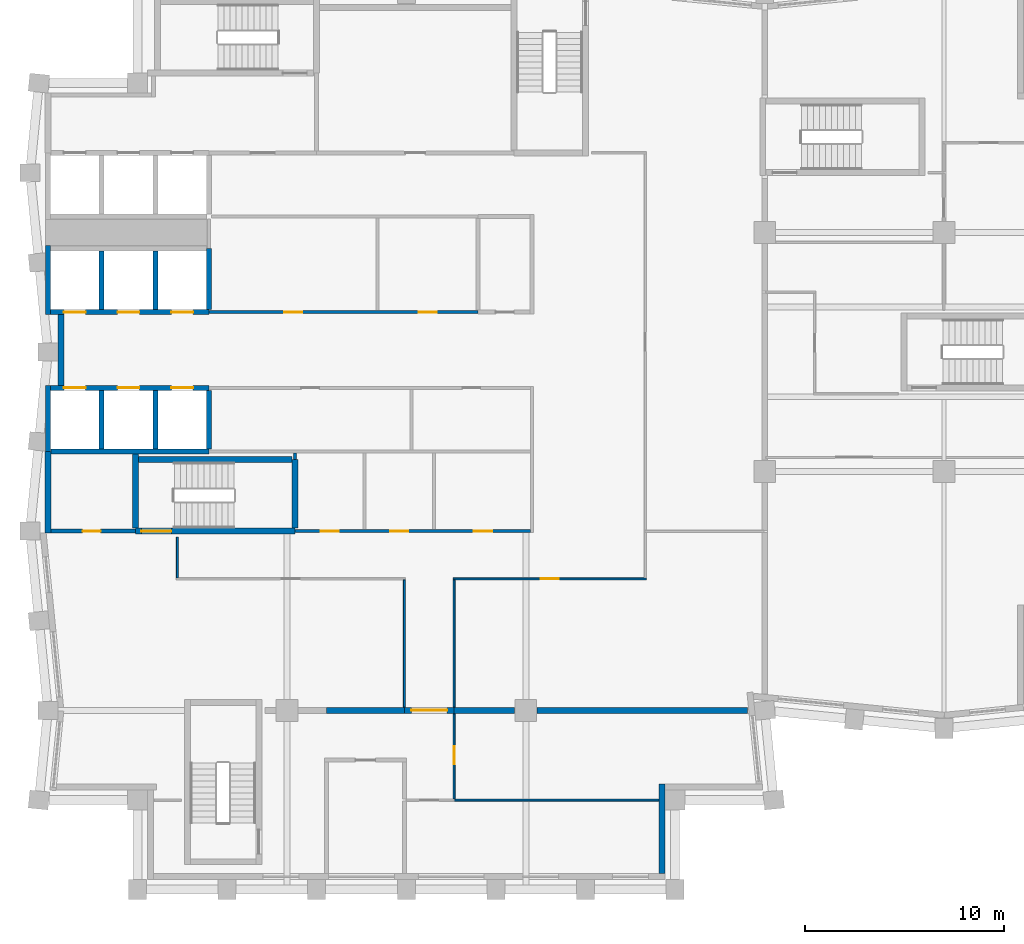
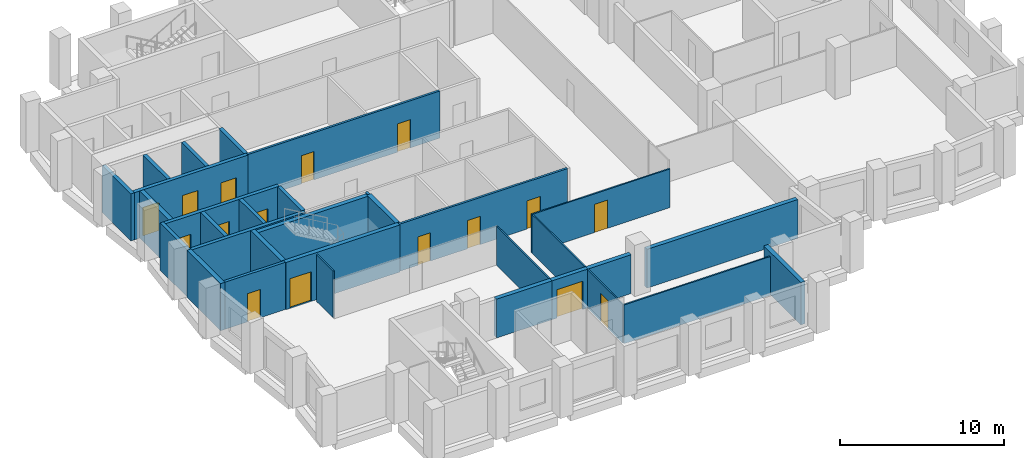
# One storey, part 3 of 8: 32 walls, 16 doors, 16 openings.
"""IFC4 building model written with IfcOpenShell, lengths in metres."""

from ifc_helpers import new_model, si_unit, direction, frame, frame_2d, origin, place, context, subcontext, project, spatial, rectangle, extrude, material, layer, layer_set, type_object, element, fill, save


model = new_model("IFC4")

# Units and contexts
model_context = context("Model", 3, precision=1e-05, world=origin(), true_north=direction((0.0, 1.0)))
body_context = subcontext(model_context, "Body", "Model", "MODEL_VIEW")
ifc_project = project(units=[si_unit("LENGTHUNIT", "METRE"), si_unit("AREAUNIT", "SQUARE_METRE"), si_unit("VOLUMEUNIT", "CUBIC_METRE"), si_unit("PLANEANGLEUNIT", "RADIAN"), si_unit("MASSUNIT", "GRAM", prefix="KILO")], contexts=[model_context])

# Site, building, storey
site_placement = place(None, origin())
site = spatial("IfcSite", under=ifc_project, at=site_placement, CompositionType="ELEMENT")
building_placement = place(site_placement, origin())
building = spatial("IfcBuilding", under=site, at=building_placement, Name="Brondeck Convention Tower", CompositionType="ELEMENT")
storey_placement = place(building_placement, frame((0.0, 0.0, 236.800048828125)))
storey = spatial("IfcBuildingStorey", under=building, at=storey_placement, Name="L58", CompositionType="ELEMENT", Elevation=236.800048828125)

# Wall
ifc_material_1 = material(Name="Concrete compartment wall C30/37", Category="concrete")
ifc_layer_1 = layer(ifc_material_1, 0.300048828125)
ifc_layer_set_1 = layer_set([ifc_layer_1], Name="Compartment wall 300")
wall_type_1 = type_object("IfcWallType", Name="Compartment wall 300", PredefinedType="PARTITIONING", material=ifc_layer_set_1)
wall_1_placement = place(storey_placement, frame((14.0, 27.0, 0.0), z_axis=(0.0, 0.0, 1.0), x_axis=(1.0, 0.0, 0.0)))
element("IfcWall", 1, at=wall_1_placement, inside=storey, type_object=wall_type_1, Name="FLR-L58-W015", PredefinedType="PARTITIONING", context=body_context, shape_type="SweptSolid", body=[
    extrude(rectangle(XDim=3.89990234375, YDim=0.300048828125, at=frame_2d((1.949951171875, 0.0))), origin(), (0.0, 0.0, 1.0), 2.8798828125),
])

# Wall, opening, door
wall_2_placement = place(storey_placement, frame((20.39990234375, 27.0, 0.0), z_axis=(0.0, 0.0, 1.0), x_axis=(-1.0, 0.0, 0.0)))
wall_2 = element("IfcWall", 2, at=wall_2_placement, inside=storey, type_object=wall_type_1, Name="FLR-L58-W016", PredefinedType="PARTITIONING", context=body_context, shape_type="SweptSolid", body=[
    extrude(rectangle(XDim=2.5, YDim=0.300048828125, at=frame_2d((1.25, 0.0))), origin(), (0.0, 0.0, 1.0), 2.8798828125),
])
opening_1_placement = place(wall_2_placement, frame((0.35009765625, 0.0, 0.0)))
opening_1 = element("IfcOpeningElement", 3, at=opening_1_placement, cuts=wall_2, Name="Opening OF-N-012", PredefinedType="OPENING", context=body_context, shape_type="SweptSolid", body=[
    extrude(rectangle(XDim=1.800048828125, YDim=2.10009765625, at=frame_2d((0.89990234375, 1.050048828125))), frame((0.0, 0.159912109375, 0.0), z_axis=(0.0, -1.0, 0.0), x_axis=(1.0, 0.0, 0.0)), (0.0, 0.0, 1.0), 0.320068359375),
])
ifc_material_2 = material(Name="Steel fire door pair", Category="steel")
door_type_1 = type_object("IfcDoorType", Name="Fire door pair 1800", OperationType="DOUBLE_DOOR_SINGLE_SWING", PredefinedType="DOOR", material=ifc_material_2)
door_1_placement = place(opening_1_placement, origin())
door_1 = element("IfcDoor", 4, at=door_1_placement, inside=storey, type_object=door_type_1, Name="Door OF-N-012", OperationType="DOUBLE_DOOR_SINGLE_SWING", OverallHeight=2.10009765625, OverallWidth=1.800048828125, PredefinedType="DOOR", context=body_context, shape_type="SweptSolid", body=[
    extrude(rectangle(XDim=1.800048828125, YDim=2.10009765625, at=frame_2d((0.89990234375, 1.050048828125))), frame((0.0, 0.02490234375, 0.0), z_axis=(0.0, -1.0, 0.0), x_axis=(1.0, 0.0, 0.0)), (0.0, 0.0, 1.0), 0.050048828125),
])
fill(opening_1, door_1)

# Walls
wall_3_placement = place(storey_placement, frame((20.39990234375, 27.0, 0.0), z_axis=(0.0, 0.0, 1.0), x_axis=(1.0, 0.0, 0.0)))
element("IfcWall", 5, at=wall_3_placement, inside=storey, type_object=wall_type_1, Name="FLR-L58-W017", PredefinedType="PARTITIONING", context=body_context, shape_type="SweptSolid", body=[
    extrude(rectangle(XDim=3.045166015625, YDim=0.300048828125, at=frame_2d((1.5224609375, 0.0))), origin(), (0.0, 0.0, 1.0), 2.8798828125),
])
wall_4_placement = place(storey_placement, frame((24.554931640625, 27.0, 0.0), z_axis=(0.0, 0.0, 1.0), x_axis=(1.0, 0.0, 0.0)))
element("IfcWall", 6, at=wall_4_placement, inside=storey, type_object=wall_type_1, Name="FLR-L58-W018", PredefinedType="PARTITIONING", context=body_context, shape_type="SweptSolid", body=[
    extrude(rectangle(XDim=10.591064453125, YDim=0.300048828125, at=frame_2d((5.29541015625, 0.0))), origin(), (0.0, 0.0, 1.0), 2.8798828125),
])

# Wall, openings, doors
ifc_material_3 = material(Name="Concrete C50/60", Category="concrete")
ifc_layer_2 = layer(ifc_material_3, 0.14990234375)
ifc_layer_set_2 = layer_set([ifc_layer_2], Name="Core beam-seat wall 150 Concrete C50/60")
wall_type_2 = type_object("IfcWallType", Name="Core beam-seat wall 150 Concrete C50/60", PredefinedType="SHEAR", material=ifc_layer_set_2)
wall_5_placement = place(storey_placement, frame((12.39990234375, 36.0, 0.0), z_axis=(0.0, 0.0, 1.0), x_axis=(1.0, 0.0, 0.0)))
wall_5 = element("IfcWall", 7, at=wall_5_placement, inside=storey, type_object=wall_type_2, Name="L58 core wall", PredefinedType="SHEAR", context=body_context, shape_type="SweptSolid", body=[
    extrude(rectangle(XDim=11.8251953125, YDim=0.14990234375, at=frame_2d((5.91259765625, 0.0))), origin(), (0.0, 0.0, 1.0), 3.5),
])
opening_2_placement = place(wall_5_placement, frame((1.300048828125, 0.0, 0.0)))
opening_2 = element("IfcOpeningElement", 8, at=opening_2_placement, cuts=wall_5, Name="Opening C31-03", PredefinedType="OPENING", context=body_context, shape_type="SweptSolid", body=[
    extrude(rectangle(XDim=0.89990234375, YDim=2.10009765625, at=frame_2d((0.449951171875, 1.050048828125))), frame((0.0, 0.0849609375, 0.0), z_axis=(0.0, -1.0, 0.0), x_axis=(1.0, 0.0, 0.0)), (0.0, 0.0, 1.0), 0.169921875),
])
opening_3_placement = place(wall_5_placement, frame((4.800048828125, 0.0, 0.0)))
opening_3 = element("IfcOpeningElement", 9, at=opening_3_placement, cuts=wall_5, Name="Opening C31-04", PredefinedType="OPENING", context=body_context, shape_type="SweptSolid", body=[
    extrude(rectangle(XDim=0.89990234375, YDim=2.10009765625, at=frame_2d((0.449951171875, 1.050048828125))), frame((0.0, 0.0849609375, 0.0), z_axis=(0.0, -1.0, 0.0), x_axis=(1.0, 0.0, 0.0)), (0.0, 0.0, 1.0), 0.169921875),
])
opening_4_placement = place(wall_5_placement, frame((8.97509765625, 0.0, 0.0)))
opening_4 = element("IfcOpeningElement", 10, at=opening_4_placement, cuts=wall_5, Name="Opening C31-05", PredefinedType="OPENING", context=body_context, shape_type="SweptSolid", body=[
    extrude(rectangle(XDim=0.949951171875, YDim=2.10009765625, at=frame_2d((0.47509765625, 1.050048828125))), frame((0.0, 0.0849609375, 0.0), z_axis=(0.0, -1.0, 0.0), x_axis=(1.0, 0.0, 0.0)), (0.0, 0.0, 1.0), 0.169921875),
])
ifc_material_4 = material(Name="Steel fire door", Category="steel")
door_type_2 = type_object("IfcDoorType", Name="Room door 900x2100 EI 60", OperationType="NOTDEFINED", PredefinedType="DOOR", material=ifc_material_4)
door_2_placement = place(opening_2_placement, origin())
door_2 = element("IfcDoor", 11, at=door_2_placement, inside=storey, type_object=door_type_2, Name="L58 Room door FR-1", OperationType="SINGLE_SWING_RIGHT", OverallHeight=2.10009765625, OverallWidth=0.89990234375, PredefinedType="DOOR", context=body_context, shape_type="SweptSolid", body=[
    extrude(rectangle(XDim=0.89990234375, YDim=2.10009765625, at=frame_2d((0.449951171875, 1.050048828125))), frame((0.0, 0.02490234375, 0.0), z_axis=(0.0, -1.0, 0.0), x_axis=(1.0, 0.0, 0.0)), (0.0, 0.0, 1.0), 0.050048828125),
])
fill(opening_2, door_2)
door_3_placement = place(opening_3_placement, origin())
door_3 = element("IfcDoor", 12, at=door_3_placement, inside=storey, type_object=door_type_2, Name="L58 Room door FR-2", OperationType="SINGLE_SWING_LEFT", OverallHeight=2.10009765625, OverallWidth=0.89990234375, PredefinedType="DOOR", context=body_context, shape_type="SweptSolid", body=[
    extrude(rectangle(XDim=0.89990234375, YDim=2.10009765625, at=frame_2d((0.449951171875, 1.050048828125))), frame((0.0, 0.02490234375, 0.0), z_axis=(0.0, -1.0, 0.0), x_axis=(1.0, 0.0, 0.0)), (0.0, 0.0, 1.0), 0.050048828125),
])
fill(opening_3, door_3)
door_type_3 = type_object("IfcDoorType", Name="Room door 950x2100 EI 60", OperationType="NOTDEFINED", PredefinedType="DOOR", material=ifc_material_4)
door_4_placement = place(opening_4_placement, origin())
door_4 = element("IfcDoor", 13, at=door_4_placement, inside=storey, type_object=door_type_3, Name="L58 Room door FR-3", OperationType="SINGLE_SWING_RIGHT", OverallHeight=2.10009765625, OverallWidth=0.949951171875, PredefinedType="DOOR", context=body_context, shape_type="SweptSolid", body=[
    extrude(rectangle(XDim=0.949951171875, YDim=2.10009765625, at=frame_2d((0.47509765625, 1.050048828125))), frame((0.0, 0.02490234375, 0.0), z_axis=(0.0, -1.0, 0.0), x_axis=(1.0, 0.0, 0.0)), (0.0, 0.0, 1.0), 0.050048828125),
])
fill(opening_4, door_4)

# Walls
ifc_layer_3 = layer(ifc_material_3, 0.300048828125)
ifc_layer_set_3 = layer_set([ifc_layer_3], Name="Core outer wall 300 Concrete C50/60")
wall_type_3 = type_object("IfcWallType", Name="Core outer wall 300 Concrete C50/60", PredefinedType="SHEAR", material=ifc_layer_set_3)
wall_6_placement = place(storey_placement, frame((0.0, 35.89990234375, 0.0), z_axis=(0.0, 0.0, 1.0), x_axis=(0.0, 1.0, 0.0)))
element("IfcWall", 14, at=wall_6_placement, inside=storey, type_object=wall_type_3, Name="L58 core wall", PredefinedType="SHEAR", context=body_context, shape_type="SweptSolid", body=[
    extrude(rectangle(XDim=4.10009765625, YDim=0.300048828125, at=frame_2d((2.050048828125, 0.0))), origin(), (0.0, 0.0, 1.0), 3.5),
])
wall_7_placement = place(storey_placement, frame((0.64990234375, 43.324951171875, 0.0), z_axis=(0.0, 0.0, 1.0), x_axis=(0.0, 1.0, 0.0)))
element("IfcWall", 15, at=wall_7_placement, inside=storey, type_object=wall_type_3, Name="L58 core wall", PredefinedType="SHEAR", context=body_context, shape_type="SweptSolid", body=[
    extrude(rectangle(XDim=3.550048828125, YDim=0.300048828125, at=frame_2d((1.77490234375, 0.0))), origin(), (0.0, 0.0, 1.0), 3.5),
])

# Wall, openings, doors
ifc_material_5 = material(Name="Fire-rated gypsum board partition")
ifc_layer_4 = layer(ifc_material_5, 0.14990234375)
ifc_layer_set_4 = layer_set([ifc_layer_4], Name="Core partition 150 EI 60")
wall_type_4 = type_object("IfcWallType", Name="Core partition 150 EI 60", PredefinedType="PARTITIONING", material=ifc_layer_set_4)
wall_8_placement = place(storey_placement, frame((8.10009765625, 47.0, 0.0), z_axis=(0.0, 0.0, 1.0), x_axis=(1.0, 0.0, 0.0)))
wall_8 = element("IfcWall", 16, at=wall_8_placement, inside=storey, type_object=wall_type_4, Name="L58 core wall", PredefinedType="PARTITIONING", context=body_context, shape_type="SweptSolid", body=[
    extrude(rectangle(XDim=13.5, YDim=0.14990234375, at=frame_2d((6.75, 0.0))), origin(), (0.0, 0.0, 1.0), 3.5),
])
opening_5_placement = place(wall_8_placement, frame((3.77490234375, 0.0, 0.0)))
opening_5 = element("IfcOpeningElement", 17, at=opening_5_placement, cuts=wall_8, Name="Opening C31-07", PredefinedType="OPENING", context=body_context, shape_type="SweptSolid", body=[
    extrude(rectangle(XDim=0.89990234375, YDim=2.10009765625, at=frame_2d((0.449951171875, 1.050048828125))), frame((0.0, 0.0849609375, 0.0), z_axis=(0.0, -1.0, 0.0), x_axis=(1.0, 0.0, 0.0)), (0.0, 0.0, 1.0), 0.169921875),
])
opening_6_placement = place(wall_8_placement, frame((10.52490234375, 0.0, 0.0)))
opening_6 = element("IfcOpeningElement", 18, at=opening_6_placement, cuts=wall_8, Name="Opening C31-08", PredefinedType="OPENING", context=body_context, shape_type="SweptSolid", body=[
    extrude(rectangle(XDim=0.89990234375, YDim=2.10009765625, at=frame_2d((0.449951171875, 1.050048828125))), frame((0.0, 0.0849609375, 0.0), z_axis=(0.0, -1.0, 0.0), x_axis=(1.0, 0.0, 0.0)), (0.0, 0.0, 1.0), 0.169921875),
])
door_5_placement = place(opening_5_placement, origin())
door_5 = element("IfcDoor", 19, at=door_5_placement, inside=storey, type_object=door_type_2, Name="L58 Room door FZ-N-8.1-1", OperationType="SINGLE_SWING_LEFT", OverallHeight=2.10009765625, OverallWidth=0.89990234375, PredefinedType="DOOR", context=body_context, shape_type="SweptSolid", body=[
    extrude(rectangle(XDim=0.89990234375, YDim=2.10009765625, at=frame_2d((0.449951171875, 1.050048828125))), frame((0.0, 0.02490234375, 0.0), z_axis=(0.0, -1.0, 0.0), x_axis=(1.0, 0.0, 0.0)), (0.0, 0.0, 1.0), 0.050048828125),
])
fill(opening_5, door_5)
door_6_placement = place(opening_6_placement, origin())
door_6 = element("IfcDoor", 20, at=door_6_placement, inside=storey, type_object=door_type_2, Name="L58 Room door FZ-N-8.1-2", OperationType="SINGLE_SWING_RIGHT", OverallHeight=2.10009765625, OverallWidth=0.89990234375, PredefinedType="DOOR", context=body_context, shape_type="SweptSolid", body=[
    extrude(rectangle(XDim=0.89990234375, YDim=2.10009765625, at=frame_2d((0.449951171875, 1.050048828125))), frame((0.0, 0.02490234375, 0.0), z_axis=(0.0, -1.0, 0.0), x_axis=(1.0, 0.0, 0.0)), (0.0, 0.0, 1.0), 0.050048828125),
])
fill(opening_6, door_6)

# Walls
wall_9_placement = place(storey_placement, frame((12.39990234375, 39.60009765625, 0.0), z_axis=(0.0, 0.0, 1.0), x_axis=(0.0, 1.0, 0.0)))
element("IfcWall", 21, at=wall_9_placement, inside=storey, type_object=wall_type_4, Name="L58 core wall", PredefinedType="PARTITIONING", context=body_context, shape_type="SweptSolid", body=[
    extrude(rectangle(XDim=0.324951171875, YDim=0.14990234375, at=frame_2d((0.16259765625, 0.0))), origin(), (0.0, 0.0, 1.0), 3.5),
])
ifc_material_6 = material(Name="Precast concrete C50/60 bronze finish", Category="concrete")
ifc_layer_5 = layer(ifc_material_6, 0.070068359375, Name="Bronze precast facing")
ifc_material_7 = material(Name="Mineral wool")
ifc_layer_6 = layer(ifc_material_7, 0.159912109375, Name="Insulation")
ifc_material_8 = material(Name="Concrete C35/45", Category="concrete")
ifc_layer_7 = layer(ifc_material_8, 0.070068359375, Name="Backing")
ifc_layer_set_5 = layer_set([ifc_layer_5, ifc_layer_6, ifc_layer_7], Name="External infill wall, precast concrete C50/60 bronze facing")
wall_type_5 = type_object("IfcWallType", Name="External infill wall, precast concrete C50/60 bronze facing", PredefinedType="SOLIDWALL", material=ifc_layer_set_5)
wall_10_placement = place(storey_placement, frame((30.85009765625, 23.300048828125, 0.0), z_axis=(0.0, 0.0, 1.0), x_axis=(0.0, -1.0, 0.0)))
element("IfcWall", 22, at=wall_10_placement, inside=storey, type_object=wall_type_5, Name="ENV-EW-L58-P2-NC-SEB18-01", PredefinedType="SOLIDWALL", context=body_context, shape_type="SweptSolid", body=[
    extrude(rectangle(XDim=4.5, YDim=0.300048828125, at=frame_2d((2.25, 0.0))), origin(), (0.0, 0.0, 1.0), 3.14990234375),
])
ifc_layer_8 = layer(ifc_material_3, 0.25)
ifc_layer_set_6 = layer_set([ifc_layer_8], Name="Lift shaft wall 250 Concrete C50/60")
wall_type_6 = type_object("IfcWallType", Name="Lift shaft wall 250 Concrete C50/60", PredefinedType="SHEAR", material=ifc_layer_set_6)
wall_11_placement = place(storey_placement, frame((0.14990234375, 40.0, 0.0), z_axis=(0.0, 0.0, 1.0), x_axis=(1.0, 0.0, 0.0)))
element("IfcWall", 23, at=wall_11_placement, inside=storey, type_object=wall_type_6, Name="L58 core wall", PredefinedType="SHEAR", context=body_context, shape_type="SweptSolid", body=[
    extrude(rectangle(XDim=7.9501953125, YDim=0.25, at=frame_2d((3.97509765625, 0.0))), origin(), (0.0, 0.0, 1.0), 3.5),
])

# Wall, openings, doors
wall_12_placement = place(storey_placement, frame((0.125, 43.199951171875, 0.0), z_axis=(0.0, 0.0, 1.0), x_axis=(1.0, 0.0, 0.0)))
wall_12 = element("IfcWall", 24, at=wall_12_placement, inside=storey, type_object=wall_type_6, Name="L58 core wall", PredefinedType="SHEAR", context=body_context, shape_type="SweptSolid", body=[
    extrude(rectangle(XDim=7.97509765625, YDim=0.25, at=frame_2d((3.987548828125, 0.0))), origin(), (0.0, 0.0, 1.0), 3.5),
])
opening_7_placement = place(wall_12_placement, frame((0.675048828125, 0.0, 0.0)))
opening_7 = element("IfcOpeningElement", 25, at=opening_7_placement, cuts=wall_12, Name="Opening C31-21", PredefinedType="OPENING", context=body_context, shape_type="SweptSolid", body=[
    extrude(rectangle(XDim=1.10009765625, YDim=2.10009765625, at=frame_2d((0.550048828125, 1.050048828125))), frame((0.0, 0.135009765625, 0.0), z_axis=(0.0, -1.0, 0.0), x_axis=(1.0, 0.0, 0.0)), (0.0, 0.0, 1.0), 0.27001953125),
])
opening_8_placement = place(wall_12_placement, frame((3.375, 0.0, 0.0)))
opening_8 = element("IfcOpeningElement", 26, at=opening_8_placement, cuts=wall_12, Name="Opening C31-22", PredefinedType="OPENING", context=body_context, shape_type="SweptSolid", body=[
    extrude(rectangle(XDim=1.10009765625, YDim=2.10009765625, at=frame_2d((0.550048828125, 1.050048828125))), frame((0.0, 0.135009765625, 0.0), z_axis=(0.0, -1.0, 0.0), x_axis=(1.0, 0.0, 0.0)), (0.0, 0.0, 1.0), 0.27001953125),
])
opening_9_placement = place(wall_12_placement, frame((6.074951171875, 0.0, 0.0)))
opening_9 = element("IfcOpeningElement", 27, at=opening_9_placement, cuts=wall_12, Name="Opening C31-23", PredefinedType="OPENING", context=body_context, shape_type="SweptSolid", body=[
    extrude(rectangle(XDim=1.10009765625, YDim=2.10009765625, at=frame_2d((0.550048828125, 1.050048828125))), frame((0.0, 0.135009765625, 0.0), z_axis=(0.0, -1.0, 0.0), x_axis=(1.0, 0.0, 0.0)), (0.0, 0.0, 1.0), 0.27001953125),
])
ifc_material_9 = material(Name="Stainless steel lift door", Category="steel")
door_type_4 = type_object("IfcDoorType", Name="Lift landing door 1100x2100 EI 180", OperationType="DOUBLE_DOOR_SLIDING", PredefinedType="DOOR", material=ifc_material_9)
door_7_placement = place(opening_7_placement, origin())
door_7 = element("IfcDoor", 28, at=door_7_placement, inside=storey, type_object=door_type_4, Name="L58 Lift landing door HR1", OperationType="DOUBLE_DOOR_SLIDING", OverallHeight=2.10009765625, OverallWidth=1.10009765625, PredefinedType="DOOR", context=body_context, shape_type="SweptSolid", body=[
    extrude(rectangle(XDim=1.10009765625, YDim=2.10009765625, at=frame_2d((0.550048828125, 1.050048828125))), frame((0.0, 0.02490234375, 0.0), z_axis=(0.0, -1.0, 0.0), x_axis=(1.0, 0.0, 0.0)), (0.0, 0.0, 1.0), 0.050048828125),
])
fill(opening_7, door_7)
door_8_placement = place(opening_8_placement, origin())
door_8 = element("IfcDoor", 29, at=door_8_placement, inside=storey, type_object=door_type_4, Name="L58 Lift landing door HR2", OperationType="DOUBLE_DOOR_SLIDING", OverallHeight=2.10009765625, OverallWidth=1.10009765625, PredefinedType="DOOR", context=body_context, shape_type="SweptSolid", body=[
    extrude(rectangle(XDim=1.10009765625, YDim=2.10009765625, at=frame_2d((0.550048828125, 1.050048828125))), frame((0.0, 0.02490234375, 0.0), z_axis=(0.0, -1.0, 0.0), x_axis=(1.0, 0.0, 0.0)), (0.0, 0.0, 1.0), 0.050048828125),
])
fill(opening_8, door_8)
door_9_placement = place(opening_9_placement, origin())
door_9 = element("IfcDoor", 30, at=door_9_placement, inside=storey, type_object=door_type_4, Name="L58 Lift landing door HR3", OperationType="DOUBLE_DOOR_SLIDING", OverallHeight=2.10009765625, OverallWidth=1.10009765625, PredefinedType="DOOR", context=body_context, shape_type="SweptSolid", body=[
    extrude(rectangle(XDim=1.10009765625, YDim=2.10009765625, at=frame_2d((0.550048828125, 1.050048828125))), frame((0.0, 0.02490234375, 0.0), z_axis=(0.0, -1.0, 0.0), x_axis=(1.0, 0.0, 0.0)), (0.0, 0.0, 1.0), 0.050048828125),
])
fill(opening_9, door_9)

wall_13_placement = place(storey_placement, frame((0.125, 47.0, 0.0), z_axis=(0.0, 0.0, 1.0), x_axis=(1.0, 0.0, 0.0)))
wall_13 = element("IfcWall", 31, at=wall_13_placement, inside=storey, type_object=wall_type_6, Name="L58 core wall", PredefinedType="SHEAR", context=body_context, shape_type="SweptSolid", body=[
    extrude(rectangle(XDim=7.97509765625, YDim=0.25, at=frame_2d((3.987548828125, 0.0))), origin(), (0.0, 0.0, 1.0), 3.5),
])
opening_10_placement = place(wall_13_placement, frame((0.675048828125, 0.0, 0.0)))
opening_10 = element("IfcOpeningElement", 32, at=opening_10_placement, cuts=wall_13, Name="Opening C31-24", PredefinedType="OPENING", context=body_context, shape_type="SweptSolid", body=[
    extrude(rectangle(XDim=1.10009765625, YDim=2.10009765625, at=frame_2d((0.550048828125, 1.050048828125))), frame((0.0, 0.135009765625, 0.0), z_axis=(0.0, -1.0, 0.0), x_axis=(1.0, 0.0, 0.0)), (0.0, 0.0, 1.0), 0.27001953125),
])
opening_11_placement = place(wall_13_placement, frame((3.375, 0.0, 0.0)))
opening_11 = element("IfcOpeningElement", 33, at=opening_11_placement, cuts=wall_13, Name="Opening C31-25", PredefinedType="OPENING", context=body_context, shape_type="SweptSolid", body=[
    extrude(rectangle(XDim=1.10009765625, YDim=2.10009765625, at=frame_2d((0.550048828125, 1.050048828125))), frame((0.0, 0.135009765625, 0.0), z_axis=(0.0, -1.0, 0.0), x_axis=(1.0, 0.0, 0.0)), (0.0, 0.0, 1.0), 0.27001953125),
])
opening_12_placement = place(wall_13_placement, frame((6.074951171875, 0.0, 0.0)))
opening_12 = element("IfcOpeningElement", 34, at=opening_12_placement, cuts=wall_13, Name="Opening C31-26", PredefinedType="OPENING", context=body_context, shape_type="SweptSolid", body=[
    extrude(rectangle(XDim=1.10009765625, YDim=2.10009765625, at=frame_2d((0.550048828125, 1.050048828125))), frame((0.0, 0.135009765625, 0.0), z_axis=(0.0, -1.0, 0.0), x_axis=(1.0, 0.0, 0.0)), (0.0, 0.0, 1.0), 0.27001953125),
])
door_10_placement = place(opening_10_placement, origin())
door_10 = element("IfcDoor", 35, at=door_10_placement, inside=storey, type_object=door_type_4, Name="L58 Lift landing door HR4", OperationType="DOUBLE_DOOR_SLIDING", OverallHeight=2.10009765625, OverallWidth=1.10009765625, PredefinedType="DOOR", context=body_context, shape_type="SweptSolid", body=[
    extrude(rectangle(XDim=1.10009765625, YDim=2.10009765625, at=frame_2d((0.550048828125, 1.050048828125))), frame((0.0, 0.02490234375, 0.0), z_axis=(0.0, -1.0, 0.0), x_axis=(1.0, 0.0, 0.0)), (0.0, 0.0, 1.0), 0.050048828125),
])
fill(opening_10, door_10)
door_11_placement = place(opening_11_placement, origin())
door_11 = element("IfcDoor", 36, at=door_11_placement, inside=storey, type_object=door_type_4, Name="L58 Lift landing door HR5", OperationType="DOUBLE_DOOR_SLIDING", OverallHeight=2.10009765625, OverallWidth=1.10009765625, PredefinedType="DOOR", context=body_context, shape_type="SweptSolid", body=[
    extrude(rectangle(XDim=1.10009765625, YDim=2.10009765625, at=frame_2d((0.550048828125, 1.050048828125))), frame((0.0, 0.02490234375, 0.0), z_axis=(0.0, -1.0, 0.0), x_axis=(1.0, 0.0, 0.0)), (0.0, 0.0, 1.0), 0.050048828125),
])
fill(opening_11, door_11)
door_12_placement = place(opening_12_placement, origin())
door_12 = element("IfcDoor", 37, at=door_12_placement, inside=storey, type_object=door_type_4, Name="L58 Lift landing door HR6", OperationType="DOUBLE_DOOR_SLIDING", OverallHeight=2.10009765625, OverallWidth=1.10009765625, PredefinedType="DOOR", context=body_context, shape_type="SweptSolid", body=[
    extrude(rectangle(XDim=1.10009765625, YDim=2.10009765625, at=frame_2d((0.550048828125, 1.050048828125))), frame((0.0, 0.02490234375, 0.0), z_axis=(0.0, -1.0, 0.0), x_axis=(1.0, 0.0, 0.0)), (0.0, 0.0, 1.0), 0.050048828125),
])
fill(opening_12, door_12)

# Walls
wall_14_placement = place(storey_placement, frame((0.0, 40.0, 0.0), z_axis=(0.0, 0.0, 1.0), x_axis=(0.0, 1.0, 0.0)))
element("IfcWall", 38, at=wall_14_placement, inside=storey, type_object=wall_type_6, Name="L58 core wall", PredefinedType="SHEAR", context=body_context, shape_type="SweptSolid", body=[
    extrude(rectangle(XDim=3.324951171875, YDim=0.25, at=frame_2d((1.66259765625, 0.0))), origin(), (0.0, 0.0, 1.0), 3.5),
])
wall_15_placement = place(storey_placement, frame((0.0, 46.875, 0.0), z_axis=(0.0, 0.0, 1.0), x_axis=(0.0, 1.0, 0.0)))
element("IfcWall", 39, at=wall_15_placement, inside=storey, type_object=wall_type_6, Name="L58 core wall", PredefinedType="SHEAR", context=body_context, shape_type="SweptSolid", body=[
    extrude(rectangle(XDim=3.47509765625, YDim=0.25, at=frame_2d((1.737548828125, 0.0))), origin(), (0.0, 0.0, 1.0), 3.5),
])
for number, where, z_axis, x_axis, name in (
    (40, (2.699951171875, 40.125, 0.0), (0.0, 0.0, 1.0), (0.0, 1.0, 0.0), "L58 core wall"),
    (41, (2.699951171875, 47.125, 0.0), (0.0, 0.0, 1.0), (0.0, 1.0, 0.0), "L58 core wall"),
    (42, (5.39990234375, 40.125, 0.0), (0.0, 0.0, 1.0), (0.0, 1.0, 0.0), "L58 core wall"),
    (43, (5.39990234375, 47.125, 0.0), (0.0, 0.0, 1.0), (0.0, 1.0, 0.0), "L58 core wall"),
    (44, (8.10009765625, 40.125, 0.0), (0.0, 0.0, 1.0), (0.0, 1.0, 0.0), "L58 core wall"),
):
    element("IfcWall", number, at=place(storey_placement, frame(where, z_axis=z_axis, x_axis=x_axis)), inside=storey, type_object=wall_type_6, Name=name, PredefinedType="SHEAR", context=body_context, shape_type="SweptSolid", body=[
        extrude(rectangle(XDim=2.949951171875, YDim=0.25, at=frame_2d((1.47509765625, 0.0))), origin(), (0.0, 0.0, 1.0), 3.5),
    ])
wall_16_placement = place(storey_placement, frame((8.10009765625, 47.125, 0.0), z_axis=(0.0, 0.0, 1.0), x_axis=(0.0, 1.0, 0.0)))
element("IfcWall", 45, at=wall_16_placement, inside=storey, type_object=wall_type_6, Name="L58 core wall", PredefinedType="SHEAR", context=body_context, shape_type="SweptSolid", body=[
    extrude(rectangle(XDim=3.074951171875, YDim=0.25, at=frame_2d((1.53759765625, 0.0))), origin(), (0.0, 0.0, 1.0), 3.5),
])

# Wall, opening, door
ifc_layer_9 = layer(ifc_material_5, 0.199951171875)
ifc_layer_set_7 = layer_set([ifc_layer_9], Name="Riser wall 200 EI 120")
wall_type_7 = type_object("IfcWallType", Name="Riser wall 200 EI 120", PredefinedType="PARTITIONING", material=ifc_layer_set_7)
wall_17_placement = place(storey_placement, frame((0.14990234375, 36.0, 0.0), z_axis=(0.0, 0.0, 1.0), x_axis=(1.0, 0.0, 0.0)))
wall_17 = element("IfcWall", 46, at=wall_17_placement, inside=storey, type_object=wall_type_7, Name="L58 core wall", PredefinedType="PARTITIONING", context=body_context, shape_type="SweptSolid", body=[
    extrude(rectangle(XDim=4.25, YDim=0.199951171875, at=frame_2d((2.125, 0.0))), origin(), (0.0, 0.0, 1.0), 3.5),
])
opening_13_placement = place(wall_17_placement, frame((1.60009765625, 0.0, 0.0)))
opening_13 = element("IfcOpeningElement", 47, at=opening_13_placement, cuts=wall_17, Name="Opening C31-06", PredefinedType="OPENING", context=body_context, shape_type="SweptSolid", body=[
    extrude(rectangle(XDim=0.89990234375, YDim=2.10009765625, at=frame_2d((0.449951171875, 1.050048828125))), frame((0.0, 0.10986328125, 0.0), z_axis=(0.0, -1.0, 0.0), x_axis=(1.0, 0.0, 0.0)), (0.0, 0.0, 1.0), 0.219970703125),
])
door_type_5 = type_object("IfcDoorType", Name="Riser door 900x2100 EI 120", OperationType="NOTDEFINED", PredefinedType="DOOR", material=ifc_material_4)
door_13_placement = place(opening_13_placement, origin())
door_13 = element("IfcDoor", 48, at=door_13_placement, inside=storey, type_object=door_type_5, Name="L58 Riser door FRW-1", OperationType="SINGLE_SWING_LEFT", OverallHeight=2.10009765625, OverallWidth=0.89990234375, PredefinedType="DOOR", context=body_context, shape_type="SweptSolid", body=[
    extrude(rectangle(XDim=0.89990234375, YDim=2.10009765625, at=frame_2d((0.449951171875, 1.050048828125))), frame((0.0, 0.02490234375, 0.0), z_axis=(0.0, -1.0, 0.0), x_axis=(1.0, 0.0, 0.0)), (0.0, 0.0, 1.0), 0.050048828125),
])
fill(opening_13, door_13)

# Wall
ifc_material_10 = material(Name="Gypsum board partition on steel studs", Category="steel")
ifc_layer_10 = layer(ifc_material_10, 0.10009765625)
ifc_layer_set_8 = layer_set([ifc_layer_10], Name="Room partition 100")
wall_type_8 = type_object("IfcWallType", Name="Room partition 100", PredefinedType="PARTITIONING", material=ifc_layer_set_8)
wall_18_placement = place(storey_placement, frame((20.39990234375, 22.5, 0.0), z_axis=(0.0, 0.0, 1.0), x_axis=(1.0, 0.0, 0.0)))
element("IfcWall", 49, at=wall_18_placement, inside=storey, type_object=wall_type_8, Name="FLR-L58-W004", PredefinedType="PARTITIONING", context=body_context, shape_type="SweptSolid", body=[
    extrude(rectangle(XDim=10.280029296875, YDim=0.10009765625, at=frame_2d((5.14013671875, 0.0))), origin(), (0.0, 0.0, 1.0), 2.8798828125),
])

# Wall, opening, door
wall_19_placement = place(storey_placement, frame((20.39990234375, 26.830078125, 0.0), z_axis=(0.0, 0.0, 1.0), x_axis=(0.0, -1.0, 0.0)))
wall_19 = element("IfcWall", 50, at=wall_19_placement, inside=storey, type_object=wall_type_8, Name="FLR-L58-W011", PredefinedType="PARTITIONING", context=body_context, shape_type="SweptSolid", body=[
    extrude(rectangle(XDim=4.280029296875, YDim=0.10009765625, at=frame_2d((2.14013671875, 0.0))), origin(), (0.0, 0.0, 1.0), 2.8798828125),
])
opening_14_placement = place(wall_19_placement, frame((1.6298828125, 0.0, 0.0)))
opening_14 = element("IfcOpeningElement", 51, at=opening_14_placement, cuts=wall_19, Name="Opening OF-N-008", PredefinedType="OPENING", context=body_context, shape_type="SweptSolid", body=[
    extrude(rectangle(XDim=0.89990234375, YDim=2.10009765625, at=frame_2d((0.449951171875, 1.050048828125))), frame((0.0, 0.06005859375, 0.0), z_axis=(0.0, -1.0, 0.0), x_axis=(1.0, 0.0, 0.0)), (0.0, 0.0, 1.0), 0.1201171875),
])
ifc_material_11 = material(Name="Solid timber door leaf", Category="wood")
door_type_6 = type_object("IfcDoorType", Name="Single door 900", OperationType="NOTDEFINED", PredefinedType="DOOR", material=ifc_material_11)
door_14_placement = place(opening_14_placement, origin())
door_14 = element("IfcDoor", 52, at=door_14_placement, inside=storey, type_object=door_type_6, Name="Door OF-N-008", OperationType="SINGLE_SWING_LEFT", OverallHeight=2.10009765625, OverallWidth=0.89990234375, PredefinedType="DOOR", context=body_context, shape_type="SweptSolid", body=[
    extrude(rectangle(XDim=0.89990234375, YDim=2.10009765625, at=frame_2d((0.449951171875, 1.050048828125))), frame((0.0, 0.02490234375, 0.0), z_axis=(0.0, -1.0, 0.0), x_axis=(1.0, 0.0, 0.0)), (0.0, 0.0, 1.0), 0.050048828125),
])
fill(opening_14, door_14)

# Walls
for number, where, z_axis, x_axis, name in (
    (53, (17.89990234375, 27.169921875, 0.0), (0.0, 0.0, 1.0), (0.0, 1.0, 0.0), "FLR-L58-W019"),
    (54, (20.39990234375, 33.550048828125, 0.0), (0.0, 0.0, 1.0), (0.0, -1.0, 0.0), "FLR-L58-W024"),
):
    element("IfcWall", number, at=place(storey_placement, frame(where, z_axis=z_axis, x_axis=x_axis)), inside=storey, type_object=wall_type_8, Name=name, PredefinedType="PARTITIONING", context=body_context, shape_type="SweptSolid", body=[
        extrude(rectangle(XDim=6.380126953125, YDim=0.10009765625, at=frame_2d((3.18994140625, 0.0))), origin(), (0.0, 0.0, 1.0), 2.8798828125),
    ])

# Wall, opening, door
wall_20_placement = place(storey_placement, frame((30.050048828125, 33.60009765625, 0.0), z_axis=(0.0, 0.0, 1.0), x_axis=(-1.0, 0.0, 0.0)))
wall_20 = element("IfcWall", 55, at=wall_20_placement, inside=storey, type_object=wall_type_8, Name="FLR-L58-W026", PredefinedType="PARTITIONING", context=body_context, shape_type="SweptSolid", body=[
    extrude(rectangle(XDim=9.699951171875, YDim=0.10009765625, at=frame_2d((4.85009765625, 0.0))), origin(), (0.0, 0.0, 1.0), 2.8798828125),
])
opening_15_placement = place(wall_20_placement, frame((4.39990234375, 0.0, 0.0)))
opening_15 = element("IfcOpeningElement", 56, at=opening_15_placement, cuts=wall_20, Name="Opening OF-N-010", PredefinedType="OPENING", context=body_context, shape_type="SweptSolid", body=[
    extrude(rectangle(XDim=0.89990234375, YDim=2.10009765625, at=frame_2d((0.449951171875, 1.050048828125))), frame((0.0, 0.06005859375, 0.0), z_axis=(0.0, -1.0, 0.0), x_axis=(1.0, 0.0, 0.0)), (0.0, 0.0, 1.0), 0.1201171875),
])
door_15_placement = place(opening_15_placement, origin())
door_15 = element("IfcDoor", 57, at=door_15_placement, inside=storey, type_object=door_type_6, Name="Door OF-N-010", OperationType="SINGLE_SWING_RIGHT", OverallHeight=2.10009765625, OverallWidth=0.89990234375, PredefinedType="DOOR", context=body_context, shape_type="SweptSolid", body=[
    extrude(rectangle(XDim=0.89990234375, YDim=2.10009765625, at=frame_2d((0.449951171875, 1.050048828125))), frame((0.0, 0.02490234375, 0.0), z_axis=(0.0, -1.0, 0.0), x_axis=(1.0, 0.0, 0.0)), (0.0, 0.0, 1.0), 0.050048828125),
])
fill(opening_15, door_15)

# Wall
wall_21_placement = place(storey_placement, frame((6.5, 33.64990234375, 0.0), z_axis=(0.0, 0.0, 1.0), x_axis=(0.0, 1.0, 0.0)))
element("IfcWall", 58, at=wall_21_placement, inside=storey, type_object=wall_type_8, Name="FLR-L58-W027", PredefinedType="PARTITIONING", context=body_context, shape_type="SweptSolid", body=[
    extrude(rectangle(XDim=2.050048828125, YDim=0.10009765625, at=frame_2d((1.02490234375, 0.0))), origin(), (0.0, 0.0, 1.0), 3.47998046875),
])

# Wall, opening, door
ifc_layer_11 = layer(ifc_material_3, 0.300048828125)
ifc_layer_set_9 = layer_set([ifc_layer_11], Name="Stair enclosure wall 300 Concrete C50/60")
wall_type_9 = type_object("IfcWallType", Name="Stair enclosure wall 300 Concrete C50/60", PredefinedType="SHEAR", material=ifc_layer_set_9)
wall_22_placement = place(storey_placement, frame((4.39990234375, 36.0, 0.0), z_axis=(0.0, 0.0, 1.0), x_axis=(1.0, 0.0, 0.0)))
wall_22 = element("IfcWall", 59, at=wall_22_placement, inside=storey, type_object=wall_type_9, Name="L58 core wall", PredefinedType="SHEAR", context=body_context, shape_type="SweptSolid", body=[
    extrude(rectangle(XDim=8.0, YDim=0.300048828125, at=frame_2d((4.0, 0.0))), origin(), (0.0, 0.0, 1.0), 3.5),
])
opening_16_placement = place(wall_22_placement, frame((0.300048828125, 0.0, 0.0)))
opening_16 = element("IfcOpeningElement", 60, at=opening_16_placement, cuts=wall_22, Name="Opening C31-12", PredefinedType="OPENING", context=body_context, shape_type="SweptSolid", body=[
    extrude(rectangle(XDim=1.5, YDim=2.199951171875, at=frame_2d((0.75, 1.10009765625))), frame((0.0, 0.159912109375, 0.0), z_axis=(0.0, -1.0, 0.0), x_axis=(1.0, 0.0, 0.0)), (0.0, 0.0, 1.0), 0.320068359375),
])
door_type_7 = type_object("IfcDoorType", Name="Stair door 1500x2200 EI 90", OperationType="NOTDEFINED", PredefinedType="DOOR", material=ifc_material_4)
door_16_placement = place(opening_16_placement, origin())
door_16 = element("IfcDoor", 61, at=door_16_placement, inside=storey, type_object=door_type_7, Name="L58 Stair door ST-1", OperationType="SINGLE_SWING_RIGHT", OverallHeight=2.199951171875, OverallWidth=1.5, PredefinedType="DOOR", context=body_context, shape_type="SweptSolid", body=[
    extrude(rectangle(XDim=1.5, YDim=2.199951171875, at=frame_2d((0.75, 1.10009765625))), frame((0.0, 0.02490234375, 0.0), z_axis=(0.0, -1.0, 0.0), x_axis=(1.0, 0.0, 0.0)), (0.0, 0.0, 1.0), 0.050048828125),
])
fill(opening_16, door_16)

# Walls
wall_23_placement = place(storey_placement, frame((4.550048828125, 39.60009765625, 0.0), z_axis=(0.0, 0.0, 1.0), x_axis=(1.0, 0.0, 0.0)))
element("IfcWall", 62, at=wall_23_placement, inside=storey, type_object=wall_type_9, Name="L58 core wall", PredefinedType="SHEAR", context=body_context, shape_type="SweptSolid", body=[
    extrude(rectangle(XDim=7.699951171875, YDim=0.300048828125, at=frame_2d((3.85009765625, 0.0))), origin(), (0.0, 0.0, 1.0), 3.5),
])
wall_24_placement = place(storey_placement, frame((4.39990234375, 36.14990234375, 0.0), z_axis=(0.0, 0.0, 1.0), x_axis=(0.0, 1.0, 0.0)))
element("IfcWall", 63, at=wall_24_placement, inside=storey, type_object=wall_type_9, Name="L58 core wall", PredefinedType="SHEAR", context=body_context, shape_type="SweptSolid", body=[
    extrude(rectangle(XDim=3.72509765625, YDim=0.300048828125, at=frame_2d((1.862548828125, 0.0))), origin(), (0.0, 0.0, 1.0), 3.5),
])
wall_25_placement = place(storey_placement, frame((12.39990234375, 36.14990234375, 0.0), z_axis=(0.0, 0.0, 1.0), x_axis=(0.0, 1.0, 0.0)))
element("IfcWall", 64, at=wall_25_placement, inside=storey, type_object=wall_type_9, Name="L58 core wall", PredefinedType="SHEAR", context=body_context, shape_type="SweptSolid", body=[
    extrude(rectangle(XDim=3.4501953125, YDim=0.300048828125, at=frame_2d((1.72509765625, 0.0))), origin(), (0.0, 0.0, 1.0), 3.5),
])

save(model, "model.ifc")
